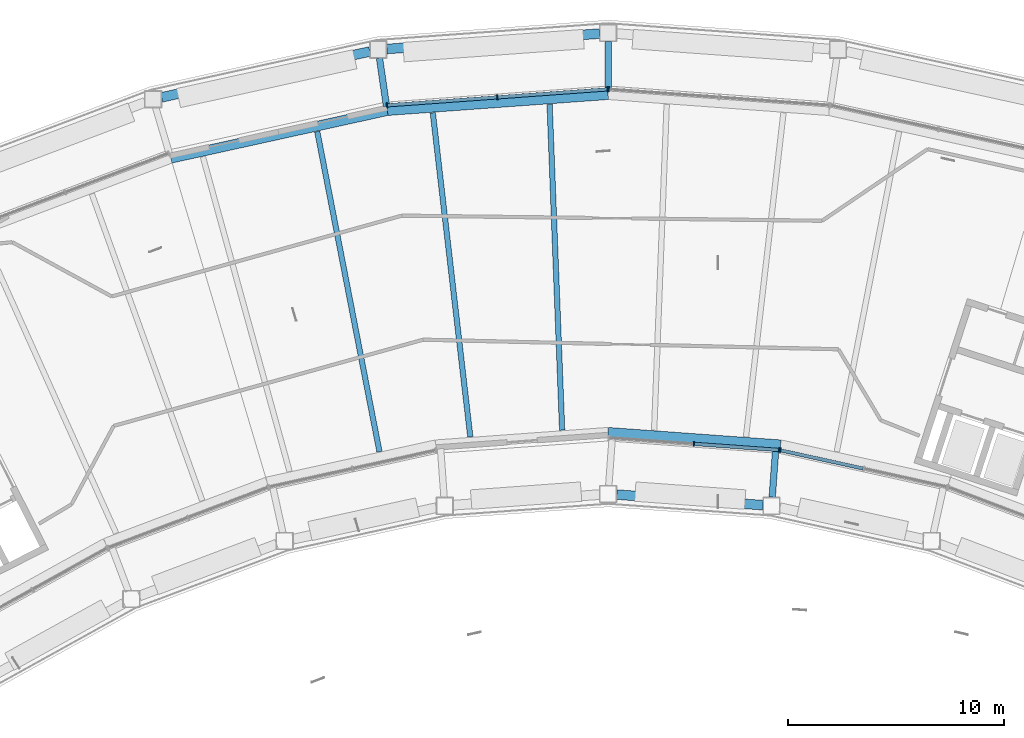
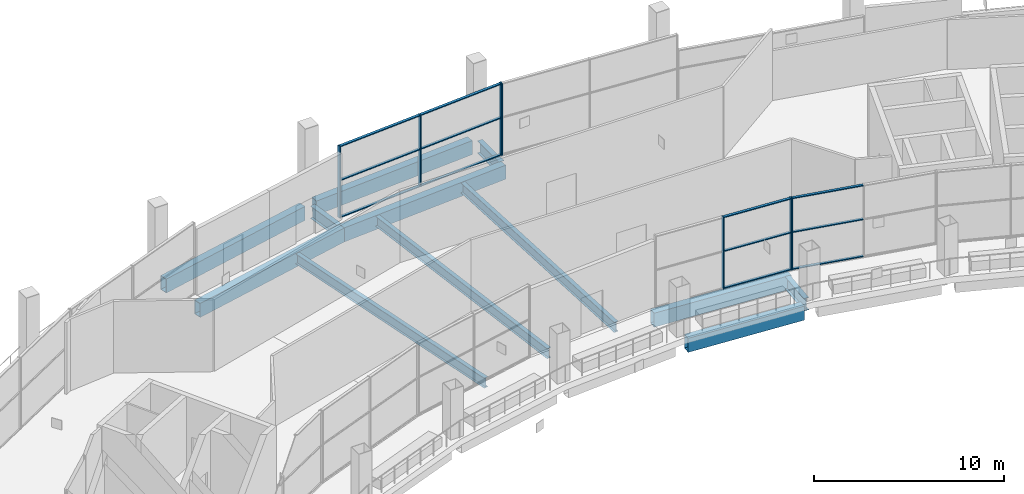
# One storey, part 7 of 29: 19 members, 12 beams, 4 elements without a shape of their own.
"""IFC4 building model written with IfcOpenShell, lengths in metres."""

from ifc_helpers import new_model, si_unit, direction, frame, origin, origin_2d, place, context, subcontext, project, spatial, rectangle, hollow_rectangle, i_section, extrude, material, layer, layer_set, material_profile, profile_set, type_object, element, aggregate, save


model = new_model("IFC4")

# Units and contexts
model_context = context("Model", 3, precision=1e-05, world=origin(), true_north=direction((0.0, 1.0)))
body_context = subcontext(model_context, "Body", "Model", "MODEL_VIEW")
ifc_project = project(units=[si_unit("LENGTHUNIT", "METRE"), si_unit("AREAUNIT", "SQUARE_METRE"), si_unit("VOLUMEUNIT", "CUBIC_METRE"), si_unit("PLANEANGLEUNIT", "RADIAN"), si_unit("MASSUNIT", "GRAM", prefix="KILO")], contexts=[model_context])

# Site, building, storey
site_placement = place(None, origin())
site = spatial("IfcSite", under=ifc_project, at=site_placement, CompositionType="ELEMENT")
building_placement = place(site_placement, origin())
building = spatial("IfcBuilding", under=site, at=building_placement, Name="Tuul Gate Civic Tower", CompositionType="ELEMENT")
storey_placement = place(building_placement, frame((0.0, 0.0, 238.89990234375)))
storey = spatial("IfcBuildingStorey", under=building, at=storey_placement, Name="Sky garden level 2", CompositionType="ELEMENT", Elevation=238.89990234375)

# Curtain wall, member
ifc_material_1 = material(Name="Aluminium", Category="aluminium")
ifc_layer = layer(ifc_material_1, 0.199951171875)
ifc_layer_set = layer_set([ifc_layer], Name="Aluminium")
curtain_wall_type = type_object("IfcCurtainWallType", Name="Curtain wall CW3", PredefinedType="NOTDEFINED", material=ifc_layer_set)
curtain_wall_1_placement = place(storey_placement, origin())
curtain_wall_1 = element("IfcCurtainWall", 1, at=curtain_wall_1_placement, inside=storey, type_object=curtain_wall_type, Name="Curtain wall CW3", PredefinedType="NOTDEFINED")
ifc_material_2 = material(Name="Aluminium", Category="aluminium")
ifc_material_profile_1 = material_profile(ifc_material_2, rectangle(XDim=0.219970703125, YDim=0.06005859375, at=origin_2d()), Name="CW3 mullion")
ifc_profile_set_1 = profile_set([ifc_material_profile_1], Name="Aluminium")
member_type_1 = type_object("IfcMemberType", Name="CW3 mullion", PredefinedType="MULLION", material=ifc_profile_set_1)
member_1_placement = place(storey_placement, frame((5.969970703125, 15.956787109375, 0.0), z_axis=(0.0, 0.0, 1.0), x_axis=(-0.072330249118, -0.997380737263, 0.0)))
member_1 = element("IfcMember", 2, at=member_1_placement, type_object=member_type_1, Name="Mullion", PredefinedType="MULLION", context=body_context, shape_type="SweptSolid", body=[
    extrude(rectangle(XDim=0.219970703125, YDim=0.06005859375, at=origin_2d()), origin(), (0.0, 0.0, 1.0), 4.60009765625),
])
aggregate(curtain_wall_1, [member_1])

# Curtain wall, members
curtain_wall_2_placement = place(storey_placement, origin())
curtain_wall_2 = element("IfcCurtainWall", 3, at=curtain_wall_2_placement, inside=storey, type_object=curtain_wall_type, Name="Curtain wall CW3", PredefinedType="NOTDEFINED")
member_2_placement = place(storey_placement, frame((5.91015625, 15.956787109375, 0.0), z_axis=(0.0, 0.0, 1.0), x_axis=(0.072323245822, -0.997381245118, 0.0)))
member_2 = element("IfcMember", 4, at=member_2_placement, type_object=member_type_1, Name="Mullion", PredefinedType="MULLION", context=body_context, shape_type="SweptSolid", body=[
    extrude(rectangle(XDim=0.219970703125, YDim=0.06005859375, at=origin_2d()), origin(), (0.0, 0.0, 1.0), 4.60009765625),
])
member_3_placement = place(storey_placement, frame((0.802978515625, 15.58642578125, 0.0), z_axis=(0.0, 0.0, 1.0), x_axis=(0.072323245822, -0.997381245118, 0.0)))
member_3 = element("IfcMember", 5, at=member_3_placement, type_object=member_type_1, Name="Mullion", PredefinedType="MULLION", context=body_context, shape_type="SweptSolid", body=[
    extrude(rectangle(XDim=0.219970703125, YDim=0.06005859375, at=origin_2d()), origin(), (0.0, 0.0, 1.0), 4.60009765625),
])
member_4_placement = place(storey_placement, frame((-4.30419921875, 15.216064453125, 0.0), z_axis=(0.0, 0.0, 1.0), x_axis=(0.072323245822, -0.997381245118, 0.0)))
member_4 = element("IfcMember", 6, at=member_4_placement, type_object=member_type_1, Name="Mullion", PredefinedType="MULLION", context=body_context, shape_type="SweptSolid", body=[
    extrude(rectangle(XDim=0.219970703125, YDim=0.06005859375, at=origin_2d()), origin(), (0.0, 0.0, 1.0), 4.60009765625),
])

curtain_wall_3_placement = place(storey_placement, origin())
curtain_wall_3 = element("IfcCurtainWall", 7, at=curtain_wall_3_placement, inside=storey, type_object=curtain_wall_type, Name="Curtain wall CW3", PredefinedType="NOTDEFINED")
member_5_placement = place(storey_placement, frame((9.91357421875, -0.471435546875, 0.0), z_axis=(0.0, 0.0, 1.0), x_axis=(0.072165694963, 0.997392657117, 0.0)))
member_5 = element("IfcMember", 8, at=member_5_placement, type_object=member_type_1, Name="Mullion", PredefinedType="MULLION", context=body_context, shape_type="SweptSolid", body=[
    extrude(rectangle(XDim=0.219970703125, YDim=0.06005859375, at=origin_2d()), origin(), (0.0, 0.0, 1.0), 4.60009765625),
])
member_6_placement = place(storey_placement, frame((13.857177734375, -0.7568359375, 0.0), z_axis=(0.0, 0.0, 1.0), x_axis=(0.072165694963, 0.997392657117, 0.0)))
member_6 = element("IfcMember", 9, at=member_6_placement, type_object=member_type_1, Name="Mullion", PredefinedType="MULLION", context=body_context, shape_type="SweptSolid", body=[
    extrude(rectangle(XDim=0.219970703125, YDim=0.06005859375, at=origin_2d()), origin(), (0.0, 0.0, 1.0), 4.60009765625),
])

# Curtain wall, member
curtain_wall_4_placement = place(storey_placement, origin())
curtain_wall_4 = element("IfcCurtainWall", 10, at=curtain_wall_4_placement, inside=storey, type_object=curtain_wall_type, Name="Curtain wall CW3", PredefinedType="NOTDEFINED")
member_7_placement = place(storey_placement, frame((13.916259765625, -0.765380859375, 0.0), z_axis=(0.0, 0.0, 1.0), x_axis=(0.215216071904, 0.976566455698, 0.0)))
member_7 = element("IfcMember", 11, at=member_7_placement, type_object=member_type_1, Name="Mullion", PredefinedType="MULLION", context=body_context, shape_type="SweptSolid", body=[
    extrude(rectangle(XDim=0.219970703125, YDim=0.06005859375, at=origin_2d()), origin(), (0.0, 0.0, 1.0), 4.60009765625),
])

# Member
ifc_material_3 = material(Name="Aluminium", Category="aluminium")
ifc_material_profile_2 = material_profile(ifc_material_3, rectangle(XDim=0.159912109375, YDim=0.06005859375, at=origin_2d()), Name="CW3 transom")
ifc_profile_set_2 = profile_set([ifc_material_profile_2], Name="Aluminium")
member_type_2 = type_object("IfcMemberType", Name="CW3 transom", PredefinedType="USERDEFINED", material=ifc_profile_set_2)
member_8_placement = place(storey_placement, frame((5.880126953125, 15.95458984375, 0.030029296875), z_axis=(-0.997381468338, -0.072320167418, 0.0), x_axis=(0.072320167418, -0.997381468338, 0.0)))
member_8 = element("IfcMember", 12, at=member_8_placement, type_object=member_type_2, Name="Transom", ObjectType="TRANSOM", PredefinedType="USERDEFINED", context=body_context, shape_type="SweptSolid", body=[
    extrude(rectangle(XDim=0.159912109375, YDim=0.06005859375, at=origin_2d()), origin(), (0.0, 0.0, 1.0), 5.060302734375),
])

member_9_placement = place(storey_placement, frame((5.880126953125, 15.95458984375, 2.400146484375), z_axis=(-0.997381468338, -0.072320167418, 0.0), x_axis=(0.072320167418, -0.997381468338, 0.0)))
member_9 = element("IfcMember", 13, at=member_9_placement, type_object=member_type_2, Name="Transom", ObjectType="TRANSOM", PredefinedType="USERDEFINED", context=body_context, shape_type="SweptSolid", body=[
    extrude(rectangle(XDim=0.159912109375, YDim=0.06005859375, at=origin_2d()), origin(), (0.0, 0.0, 1.0), 5.060302734375),
])

member_10_placement = place(storey_placement, frame((5.880126953125, 15.95458984375, 4.570068359375), z_axis=(-0.997381468338, -0.072320167418, 0.0), x_axis=(0.072320167418, -0.997381468338, 0.0)))
member_10 = element("IfcMember", 14, at=member_10_placement, type_object=member_type_2, Name="Transom", ObjectType="TRANSOM", PredefinedType="USERDEFINED", context=body_context, shape_type="SweptSolid", body=[
    extrude(rectangle(XDim=0.159912109375, YDim=0.06005859375, at=origin_2d()), origin(), (0.0, 0.0, 1.0), 5.060302734375),
])

member_11_placement = place(storey_placement, frame((0.773193359375, 15.584228515625, 0.030029296875), z_axis=(-0.997381720655, -0.072316687591, 0.0), x_axis=(0.072316687591, -0.997381720655, 0.0)))
member_11 = element("IfcMember", 15, at=member_11_placement, type_object=member_type_2, Name="Transom", ObjectType="TRANSOM", PredefinedType="USERDEFINED", context=body_context, shape_type="SweptSolid", body=[
    extrude(rectangle(XDim=0.159912109375, YDim=0.06005859375, at=origin_2d()), origin(), (0.0, 0.0, 1.0), 5.060546875),
])

member_12_placement = place(storey_placement, frame((0.773193359375, 15.584228515625, 2.400146484375), z_axis=(-0.997381720655, -0.072316687591, 0.0), x_axis=(0.072316687591, -0.997381720655, 0.0)))
member_12 = element("IfcMember", 16, at=member_12_placement, type_object=member_type_2, Name="Transom", ObjectType="TRANSOM", PredefinedType="USERDEFINED", context=body_context, shape_type="SweptSolid", body=[
    extrude(rectangle(XDim=0.159912109375, YDim=0.06005859375, at=origin_2d()), origin(), (0.0, 0.0, 1.0), 5.060546875),
])

member_13_placement = place(storey_placement, frame((0.773193359375, 15.584228515625, 4.570068359375), z_axis=(-0.997381720655, -0.072316687591, 0.0), x_axis=(0.072316687591, -0.997381720655, 0.0)))
member_13 = element("IfcMember", 17, at=member_13_placement, type_object=member_type_2, Name="Transom", ObjectType="TRANSOM", PredefinedType="USERDEFINED", context=body_context, shape_type="SweptSolid", body=[
    extrude(rectangle(XDim=0.159912109375, YDim=0.06005859375, at=origin_2d()), origin(), (0.0, 0.0, 1.0), 5.060546875),
])

aggregate(curtain_wall_2, [member_2, member_3, member_4, member_8, member_9, member_10, member_11, member_12, member_13])

member_14_placement = place(storey_placement, frame((9.943359375, -0.4736328125, 0.030029296875), z_axis=(0.997392715607, -0.072164886577, 0.0), x_axis=(0.072164886577, 0.997392715607, 0.0)))
member_14 = element("IfcMember", 18, at=member_14_placement, type_object=member_type_2, Name="Transom", ObjectType="TRANSOM", PredefinedType="USERDEFINED", context=body_context, shape_type="SweptSolid", body=[
    extrude(rectangle(XDim=0.159912109375, YDim=0.06005859375, at=origin_2d()), origin(), (0.0, 0.0, 1.0), 3.89404296875),
])

member_15_placement = place(storey_placement, frame((9.943359375, -0.4736328125, 2.400146484375), z_axis=(0.997392715607, -0.072164886577, 0.0), x_axis=(0.072164886577, 0.997392715607, 0.0)))
member_15 = element("IfcMember", 19, at=member_15_placement, type_object=member_type_2, Name="Transom", ObjectType="TRANSOM", PredefinedType="USERDEFINED", context=body_context, shape_type="SweptSolid", body=[
    extrude(rectangle(XDim=0.159912109375, YDim=0.06005859375, at=origin_2d()), origin(), (0.0, 0.0, 1.0), 3.89404296875),
])

member_16_placement = place(storey_placement, frame((9.943359375, -0.4736328125, 4.570068359375), z_axis=(0.997392715607, -0.072164886577, 0.0), x_axis=(0.072164886577, 0.997392715607, 0.0)))
member_16 = element("IfcMember", 20, at=member_16_placement, type_object=member_type_2, Name="Transom", ObjectType="TRANSOM", PredefinedType="USERDEFINED", context=body_context, shape_type="SweptSolid", body=[
    extrude(rectangle(XDim=0.159912109375, YDim=0.06005859375, at=origin_2d()), origin(), (0.0, 0.0, 1.0), 3.89404296875),
])

aggregate(curtain_wall_3, [member_5, member_6, member_14, member_15, member_16])

member_17_placement = place(storey_placement, frame((13.945556640625, -0.77197265625, 0.030029296875), z_axis=(0.976567579886, -0.215210970712, 0.0), x_axis=(0.215210970712, 0.976567579886, 0.0)))
member_17 = element("IfcMember", 21, at=member_17_placement, type_object=member_type_2, Name="Transom", ObjectType="TRANSOM", PredefinedType="USERDEFINED", context=body_context, shape_type="SweptSolid", body=[
    extrude(rectangle(XDim=0.159912109375, YDim=0.06005859375, at=origin_2d()), origin(), (0.0, 0.0, 1.0), 3.89453125),
])

member_18_placement = place(storey_placement, frame((13.945556640625, -0.77197265625, 2.400146484375), z_axis=(0.976567579886, -0.215210970712, 0.0), x_axis=(0.215210970712, 0.976567579886, 0.0)))
member_18 = element("IfcMember", 22, at=member_18_placement, type_object=member_type_2, Name="Transom", ObjectType="TRANSOM", PredefinedType="USERDEFINED", context=body_context, shape_type="SweptSolid", body=[
    extrude(rectangle(XDim=0.159912109375, YDim=0.06005859375, at=origin_2d()), origin(), (0.0, 0.0, 1.0), 3.89453125),
])

member_19_placement = place(storey_placement, frame((13.945556640625, -0.77197265625, 4.570068359375), z_axis=(0.976567579886, -0.215210970712, 0.0), x_axis=(0.215210970712, 0.976567579886, 0.0)))
member_19 = element("IfcMember", 23, at=member_19_placement, type_object=member_type_2, Name="Transom", ObjectType="TRANSOM", PredefinedType="USERDEFINED", context=body_context, shape_type="SweptSolid", body=[
    extrude(rectangle(XDim=0.159912109375, YDim=0.06005859375, at=origin_2d()), origin(), (0.0, 0.0, 1.0), 3.89453125),
])

aggregate(curtain_wall_4, [member_7, member_17, member_18, member_19])

# Beams
ifc_material_4 = material(Name="Steel S355", Category="steel")
ifc_material_profile_3 = material_profile(ifc_material_4, i_section(OverallWidth=0.25, OverallDepth=0.64990234375, WebThickness=0.011962890625, FlangeThickness=0.02001953125, at=origin_2d()), Name="PG650x250x12x20")
ifc_profile_set_3 = profile_set([ifc_material_profile_3], Name="Steel S355")
beam_type_1 = type_object("IfcBeamType", Name="STR-FLOOR BEAM-PG650x250x12x20", PredefinedType="BEAM", material=ifc_profile_set_3)
beam_1_placement = place(storey_placement, frame((3.80810546875, 0.163330078125, -0.724853515625), z_axis=(-0.038394025162, 0.999262677594, 0.0), x_axis=(-0.999262677594, -0.038394025162, 0.0)))
element("IfcBeam", 24, at=beam_1_placement, inside=storey, type_object=beam_type_1, Name="Floor beam", PredefinedType="BEAM", context=body_context, shape_type="SweptSolid", body=[
    extrude(i_section(OverallWidth=0.25, OverallDepth=0.64990234375, WebThickness=0.011962890625, FlangeThickness=0.02001953125, at=origin_2d()), origin(), (0.0, 0.0, 1.0), 15.108642578125),
])
beam_2_placement = place(storey_placement, frame((-0.4453125, -0.144775390625, -0.724853515625), z_axis=(-0.114931890807, 0.993373374153, 0.0), x_axis=(-0.993373374153, -0.114931890807, 0.0)))
element("IfcBeam", 25, at=beam_2_placement, inside=storey, type_object=beam_type_1, Name="Floor beam", PredefinedType="BEAM", context=body_context, shape_type="SweptSolid", body=[
    extrude(i_section(OverallWidth=0.25, OverallDepth=0.64990234375, WebThickness=0.011962890625, FlangeThickness=0.02001953125, at=origin_2d()), origin(), (0.0, 0.0, 1.0), 15.11376953125),
])
beam_3_placement = place(storey_placement, frame((-4.65380859375, -0.830322265625, -0.724853515625), z_axis=(-0.190791786167, 0.981630528423, 0.0), x_axis=(-0.981630528423, -0.190791786167, 0.0)))
element("IfcBeam", 26, at=beam_3_placement, inside=storey, type_object=beam_type_1, Name="Floor beam", PredefinedType="BEAM", context=body_context, shape_type="SweptSolid", body=[
    extrude(i_section(OverallWidth=0.25, OverallDepth=0.64990234375, WebThickness=0.011962890625, FlangeThickness=0.02001953125, at=origin_2d()), origin(), (0.0, 0.0, 1.0), 15.1044921875),
])
ifc_material_5 = material(Name="Steel S355", Category="steel")
ifc_material_profile_4 = material_profile(ifc_material_5, i_section(OverallWidth=0.300048828125, OverallDepth=0.800048828125, WebThickness=0.013916015625, FlangeThickness=0.02490234375, at=origin_2d()), Name="PG800x300x14x25")
ifc_profile_set_4 = profile_set([ifc_material_profile_4], Name="Steel S355")
beam_type_2 = type_object("IfcBeamType", Name="STR-FLOOR BEAM-PG800x300x14x25", PredefinedType="BEAM", material=ifc_profile_set_4)
beam_4_placement = place(storey_placement, frame((5.93994140625, 18.1650390625, -0.7998046875), z_axis=(0.0, -1.0, 0.0), x_axis=(1.0, 0.0, 0.0)))
element("IfcBeam", 27, at=beam_4_placement, inside=storey, type_object=beam_type_2, Name="Terrace beam", PredefinedType="BEAM", context=body_context, shape_type="SweptSolid", body=[
    extrude(i_section(OverallWidth=0.300048828125, OverallDepth=0.800048828125, WebThickness=0.013916015625, FlangeThickness=0.02490234375, at=origin_2d()), origin(), (0.0, 0.0, 1.0), 2.257080078125),
])
beam_5_placement = place(storey_placement, frame((-4.65234375, 17.398193359375, -0.7998046875), z_axis=(0.144039966377, -0.989571871107, 0.0), x_axis=(0.989571871107, 0.144039966377, 0.0)))
element("IfcBeam", 28, at=beam_5_placement, inside=storey, type_object=beam_type_2, Name="Terrace beam", PredefinedType="BEAM", context=body_context, shape_type="SweptSolid", body=[
    extrude(i_section(OverallWidth=0.300048828125, OverallDepth=0.800048828125, WebThickness=0.013916015625, FlangeThickness=0.02490234375, at=origin_2d()), origin(), (0.0, 0.0, 1.0), 2.257568359375),
])
beam_6_placement = place(storey_placement, frame((13.540771484375, -2.93994140625, -0.7998046875), z_axis=(0.072264874573, 0.997385476084, 0.0), x_axis=(-0.997385476084, 0.072264874573, 0.0)))
element("IfcBeam", 29, at=beam_6_placement, inside=storey, type_object=beam_type_2, Name="Terrace beam", PredefinedType="BEAM", context=body_context, shape_type="SweptSolid", body=[
    extrude(i_section(OverallWidth=0.300048828125, OverallDepth=0.800048828125, WebThickness=0.013916015625, FlangeThickness=0.02490234375, at=origin_2d()), origin(), (0.0, 0.0, 1.0), 2.25),
])
ifc_material_6 = material(Name="Steel S355", Category="steel")
ifc_material_profile_5 = material_profile(ifc_material_6, hollow_rectangle(XDim=0.449951171875, YDim=0.89990234375, WallThickness=0.02490234375, at=origin_2d()), Name="BOX900x450x25")
ifc_profile_set_5 = profile_set([ifc_material_profile_5], Name="Steel S355")
beam_type_3 = type_object("IfcBeamType", Name="STR-SPANDREL BEAM-BOX900x450x25", PredefinedType="BEAM", material=ifc_profile_set_5)
beam_7_placement = place(storey_placement, frame((-14.321533203125, 12.757568359375, -0.849853515625), z_axis=(0.9765761346, 0.215172148129, 0.0), x_axis=(-0.215172148129, 0.9765761346, 0.0)))
element("IfcBeam", 30, at=beam_7_placement, inside=storey, type_object=beam_type_3, Name="Spandrel beam", PredefinedType="BEAM", context=body_context, shape_type="SweptSolid", body=[
    extrude(hollow_rectangle(XDim=0.449951171875, YDim=0.89990234375, WallThickness=0.02490234375, at=origin_2d()), origin(), (0.0, 0.0, 1.0), 10.263916015625),
])
beam_8_placement = place(storey_placement, frame((-4.298095703125, 14.966064453125, -0.849853515625), z_axis=(0.997384398407, 0.072279746912, 0.0), x_axis=(-0.072279746912, 0.997384398407, 0.0)))
element("IfcBeam", 31, at=beam_8_placement, inside=storey, type_object=beam_type_3, Name="Spandrel beam", PredefinedType="BEAM", context=body_context, shape_type="SweptSolid", body=[
    extrude(hollow_rectangle(XDim=0.449951171875, YDim=0.89990234375, WallThickness=0.02490234375, at=origin_2d()), origin(), (0.0, 0.0, 1.0), 10.264892578125),
])
beam_9_placement = place(storey_placement, frame((13.923828125, -0.51123046875, -0.849853515625), z_axis=(-0.997386357036, 0.072252714813, 0.0), x_axis=(-0.072252714813, -0.997386357036, 0.0)))
element("IfcBeam", 32, at=beam_9_placement, inside=storey, type_object=beam_type_3, Name="Spandrel beam", PredefinedType="BEAM", context=body_context, shape_type="SweptSolid", body=[
    extrude(hollow_rectangle(XDim=0.449951171875, YDim=0.89990234375, WallThickness=0.02490234375, at=origin_2d()), origin(), (0.0, 0.0, 1.0), 8.0048828125),
])
beam_10_placement = place(storey_placement, frame((5.541015625, 18.5361328125, -0.849853515625), z_axis=(-0.997390499353, -0.072195510943, 0.0), x_axis=(0.072195510943, -0.997390499353, 0.0)))
element("IfcBeam", 33, at=beam_10_placement, inside=storey, type_object=beam_type_3, Name="Terrace edge beam", PredefinedType="BEAM", context=body_context, shape_type="SweptSolid", body=[
    extrude(hollow_rectangle(XDim=0.449951171875, YDim=0.89990234375, WallThickness=0.02490234375, at=origin_2d()), origin(), (0.0, 0.0, 1.0), 9.8779296875),
])
beam_11_placement = place(storey_placement, frame((-5.1005859375, 17.7080078125, -0.849853515625), z_axis=(-0.976561301206, -0.21523945964, 0.0), x_axis=(0.21523945964, -0.976561301206, 0.0)))
element("IfcBeam", 34, at=beam_11_placement, inside=storey, type_object=beam_type_3, Name="Terrace edge beam", PredefinedType="BEAM", context=body_context, shape_type="SweptSolid", body=[
    extrude(hollow_rectangle(XDim=0.449951171875, YDim=0.89990234375, WallThickness=0.02490234375, at=origin_2d()), origin(), (0.0, 0.0, 1.0), 9.877197265625),
])
beam_12_placement = place(storey_placement, frame((6.3388671875, -2.81884765625, -0.849853515625), z_axis=(0.997381302407, -0.072322455777, 0.0), x_axis=(0.072322455777, 0.997381302407, 0.0)))
element("IfcBeam", 35, at=beam_12_placement, inside=storey, type_object=beam_type_3, Name="Terrace edge beam", PredefinedType="BEAM", context=body_context, shape_type="SweptSolid", body=[
    extrude(hollow_rectangle(XDim=0.449951171875, YDim=0.89990234375, WallThickness=0.02490234375, at=origin_2d()), origin(), (0.0, 0.0, 1.0), 6.7919921875),
])

save(model, "model.ifc")
